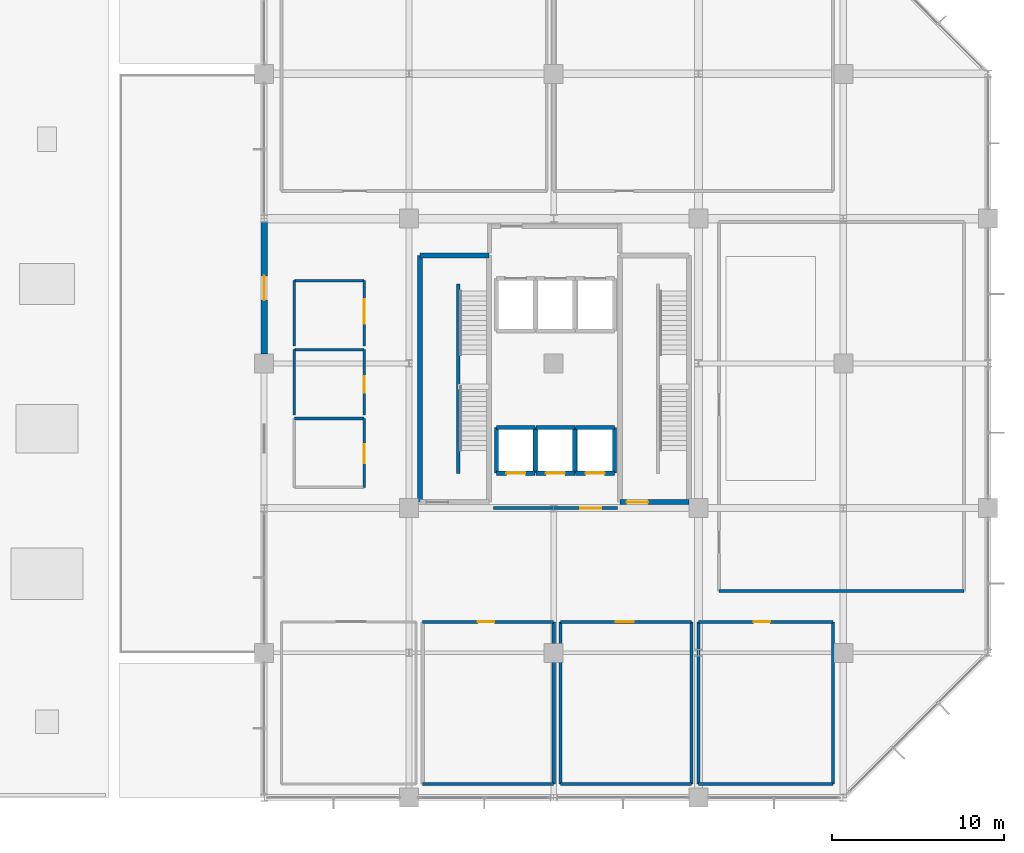
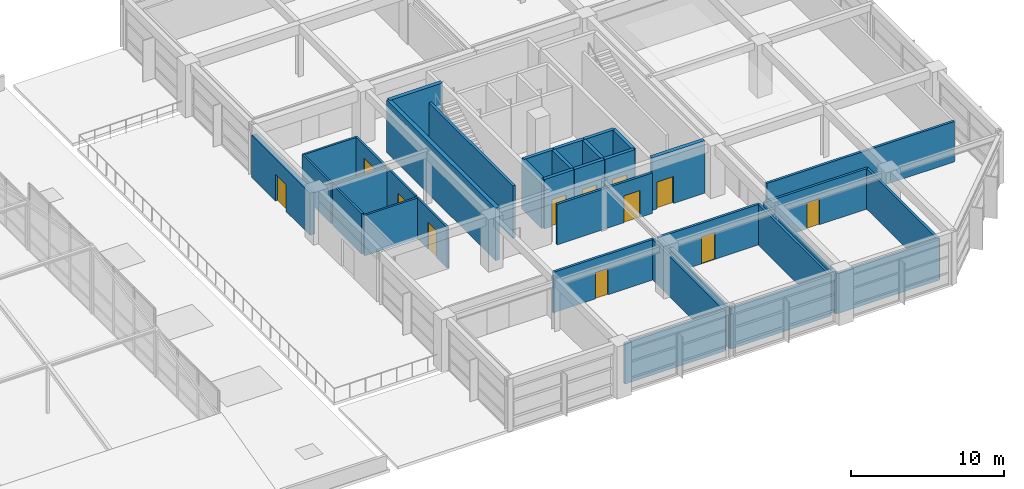
# One storey, part 31 of 34: 36 walls, 12 doors, 12 openings.
"""IFC4 building model written with IfcOpenShell, lengths in metres."""

from ifc_helpers import new_model, si_unit, direction, frame, frame_2d, origin, place, context, subcontext, project, spatial, rectangle, extrude, material, layer, layer_set, type_object, element, fill, save


model = new_model("IFC4")

# Units and contexts
model_context = context("Model", 3, precision=1e-05, world=origin(), true_north=direction((0.0, 1.0)))
body_context = subcontext(model_context, "Body", "Model", "MODEL_VIEW")
ifc_project = project(units=[si_unit("LENGTHUNIT", "METRE"), si_unit("AREAUNIT", "SQUARE_METRE"), si_unit("VOLUMEUNIT", "CUBIC_METRE"), si_unit("PLANEANGLEUNIT", "RADIAN"), si_unit("MASSUNIT", "GRAM", prefix="KILO")], contexts=[model_context])

# Site, building, storey
site_placement = place(None, origin())
site = spatial("IfcSite", under=ifc_project, at=site_placement, CompositionType="ELEMENT")
building_placement = place(site_placement, origin())
building = spatial("IfcBuilding", under=site, at=building_placement, Name="Xuanlan Plaza Opera House", CompositionType="ELEMENT")
storey_placement = place(building_placement, frame((0.0, 0.0, 27.89990234375)))
storey = spatial("IfcBuildingStorey", under=building, at=storey_placement, Name="L06", CompositionType="ELEMENT", Elevation=27.89990234375)

# Wall, opening, door
ifc_material_1 = material(Name="Anodised Aluminium 6063-T6 and Rockwool Cladding", Category="aluminium")
ifc_layer_1 = layer(ifc_material_1, 0.360107421875)
ifc_layer_set_1 = layer_set([ifc_layer_1], Name="Anodised Aluminium 6063-T6 and Rockwool Cladding")
wall_type_1 = type_object("IfcWallType", Name="ENV-WL-EW-01", PredefinedType="STANDARD", material=ifc_layer_set_1)
wall_1_placement = place(storey_placement, frame((126.0, 67.0, 0.0), z_axis=(0.0, 0.0, 1.0), x_axis=(0.0, -1.0, 0.0)))
wall_1 = element("IfcWall", 1, at=wall_1_placement, inside=storey, type_object=wall_type_1, Name="Exterior Wall L06-017", PredefinedType="STANDARD", context=body_context, shape_type="SweptSolid", body=[
    extrude(rectangle(XDim=7.64990234375, YDim=0.360107421875, at=frame_2d((3.824951171875, 0.0))), origin(), (0.0, 0.0, 1.0), 3.380126953125),
])
opening_1_placement = place(wall_1_placement, frame((3.125, 0.0, 0.0)))
opening_1 = element("IfcOpeningElement", 2, at=opening_1_placement, cuts=wall_1, Name="Opening TD-03", PredefinedType="OPENING", context=body_context, shape_type="SweptSolid", body=[
    extrude(rectangle(XDim=1.39990234375, YDim=2.14990234375, at=frame_2d((0.699951171875, 1.074951171875))), frame((0.0, 0.18994140625, 0.0), z_axis=(0.0, -1.0, 0.0), x_axis=(1.0, 0.0, 0.0)), (0.0, 0.0, 1.0), 0.380126953125),
])
ifc_material_2 = material(Name="Anodised Aluminium 6063-T6 and Laminated Safety Glass", Category="aluminium")
door_type_1 = type_object("IfcDoorType", Name="ENV-DR-TD-03", OperationType="DOUBLE_DOOR_SINGLE_SWING", PredefinedType="DOOR", material=ifc_material_2)
door_1_placement = place(opening_1_placement, frame((1.39990234375, 0.0, 0.0), z_axis=(0.0, 0.0, 1.0), x_axis=(-1.0, 0.0, 0.0)))
door_1 = element("IfcDoor", 3, at=door_1_placement, inside=storey, type_object=door_type_1, Name="Terrace Access Door TERR-L06-17", OperationType="DOUBLE_DOOR_SINGLE_SWING", OverallHeight=2.14990234375, OverallWidth=1.39990234375, PredefinedType="DOOR", context=body_context, shape_type="SweptSolid", body=[
    extrude(rectangle(XDim=1.39990234375, YDim=2.14990234375, at=frame_2d((0.699951171875, 1.074951171875))), frame((0.0, 0.02490234375, 0.0), z_axis=(0.0, -1.0, 0.0), x_axis=(1.0, 0.0, 0.0)), (0.0, 0.0, 1.0), 0.050048828125),
])
fill(opening_1, door_1)

ifc_material_3 = material(Name="Gypsum Board and Galvanised Steel Studs", Category="gypsum")
ifc_layer_2 = layer(ifc_material_3, 0.179931640625)
ifc_layer_set_2 = layer_set([ifc_layer_2], Name="Gypsum Board and Galvanised Steel Studs")
wall_type_2 = type_object("IfcWallType", Name="INT-WL-PW-02", PredefinedType="PARTITIONING", material=ifc_layer_set_2)
wall_2_placement = place(storey_placement, frame((139.300048828125, 50.39990234375, 0.0), z_axis=(0.0, 0.0, 1.0), x_axis=(1.0, 0.0, 0.0)))
wall_2 = element("IfcWall", 4, at=wall_2_placement, inside=storey, type_object=wall_type_2, Name="Tower Lift Lobby Wall South", PredefinedType="PARTITIONING", context=body_context, shape_type="SweptSolid", body=[
    extrude(rectangle(XDim=7.199951171875, YDim=0.179931640625, at=frame_2d((3.60009765625, 0.0))), origin(), (0.0, 0.0, 1.0), 3.239990234375),
])
opening_2_placement = place(wall_2_placement, frame((5.050048828125, 0.0, 0.0)))
opening_2 = element("IfcOpeningElement", 5, at=opening_2_placement, cuts=wall_2, Name="Opening FD-02", PredefinedType="OPENING", context=body_context, shape_type="SweptSolid", body=[
    extrude(rectangle(XDim=1.199951171875, YDim=2.14990234375, at=frame_2d((0.60009765625, 1.074951171875))), frame((0.0, 0.099853515625, 0.0), z_axis=(0.0, -1.0, 0.0), x_axis=(1.0, 0.0, 0.0)), (0.0, 0.0, 1.0), 0.199951171875),
])
ifc_material_4 = material(Name="Galvanised Steel Q235B", Category="steel")
door_type_2 = type_object("IfcDoorType", Name="INT-DR-FD-02", OperationType="NOTDEFINED", PredefinedType="DOOR", material=ifc_material_4)
door_2_placement = place(opening_2_placement, frame((1.199951171875, 0.0, 0.0), z_axis=(0.0, 0.0, 1.0), x_axis=(-1.0, 0.0, 0.0)))
door_2 = element("IfcDoor", 6, at=door_2_placement, inside=storey, type_object=door_type_2, Name="Tower Lift Lobby Door 1", OperationType="SINGLE_SWING_RIGHT", OverallHeight=2.14990234375, OverallWidth=1.199951171875, PredefinedType="DOOR", context=body_context, shape_type="SweptSolid", body=[
    extrude(rectangle(XDim=1.199951171875, YDim=2.14990234375, at=frame_2d((0.60009765625, 1.074951171875))), frame((0.0, 0.02490234375, 0.0), z_axis=(0.0, -1.0, 0.0), x_axis=(1.0, 0.0, 0.0)), (0.0, 0.0, 1.0), 0.050048828125),
])
fill(opening_2, door_2)

# Walls
wall_3_placement = place(storey_placement, frame((152.39990234375, 45.60009765625, 0.0), z_axis=(0.0, 0.0, 1.0), x_axis=(1.0, 0.0, 0.0)))
element("IfcWall", 7, at=wall_3_placement, inside=storey, type_object=wall_type_2, Name="Performing Arts Production Studio Wall South", PredefinedType="PARTITIONING", context=body_context, shape_type="SweptSolid", body=[
    extrude(rectangle(XDim=14.2001953125, YDim=0.179931640625, at=frame_2d((7.10009765625, 0.0))), origin(), (0.0, 0.0, 1.0), 3.239990234375),
])
wall_4_placement = place(storey_placement, frame((135.199951171875, 34.39990234375, 0.0), z_axis=(0.0, 0.0, 1.0), x_axis=(1.0, 0.0, 0.0)))
element("IfcWall", 8, at=wall_4_placement, inside=storey, type_object=wall_type_2, Name="Cultural Administration Office 2 Wall South", PredefinedType="PARTITIONING", context=body_context, shape_type="SweptSolid", body=[
    extrude(rectangle(XDim=7.60009765625, YDim=0.179931640625, at=frame_2d((3.800048828125, 0.0))), origin(), (0.0, 0.0, 1.0), 3.239990234375),
])

# Wall, opening, door
wall_5_placement = place(storey_placement, frame((135.199951171875, 43.800048828125, 0.0), z_axis=(0.0, 0.0, 1.0), x_axis=(1.0, 0.0, 0.0)))
wall_5 = element("IfcWall", 9, at=wall_5_placement, inside=storey, type_object=wall_type_2, Name="Cultural Administration Office 2 Wall North", PredefinedType="PARTITIONING", context=body_context, shape_type="SweptSolid", body=[
    extrude(rectangle(XDim=7.60009765625, YDim=0.179931640625, at=frame_2d((3.800048828125, 0.0))), origin(), (0.0, 0.0, 1.0), 3.239990234375),
])
opening_3_placement = place(wall_5_placement, frame((3.199951171875, 0.0, 0.0)))
opening_3 = element("IfcOpeningElement", 10, at=opening_3_placement, cuts=wall_5, Name="Opening D-01", PredefinedType="OPENING", context=body_context, shape_type="SweptSolid", body=[
    extrude(rectangle(XDim=0.949951171875, YDim=2.10009765625, at=frame_2d((0.47509765625, 1.050048828125))), frame((0.0, 0.099853515625, 0.0), z_axis=(0.0, -1.0, 0.0), x_axis=(1.0, 0.0, 0.0)), (0.0, 0.0, 1.0), 0.199951171875),
])
ifc_material_5 = material(Name="Walnut Hardwood Timber", Category="wood")
door_type_3 = type_object("IfcDoorType", Name="INT-DR-D-01", OperationType="NOTDEFINED", PredefinedType="DOOR", material=ifc_material_5)
door_3_placement = place(opening_3_placement, origin())
door_3 = element("IfcDoor", 11, at=door_3_placement, inside=storey, type_object=door_type_3, Name="Cultural Administration Office 2 Door 1", OperationType="SINGLE_SWING_RIGHT", OverallHeight=2.10009765625, OverallWidth=0.949951171875, PredefinedType="DOOR", context=body_context, shape_type="SweptSolid", body=[
    extrude(rectangle(XDim=0.949951171875, YDim=2.10009765625, at=frame_2d((0.47509765625, 1.050048828125))), frame((0.0, 0.02490234375, 0.0), z_axis=(0.0, -1.0, 0.0), x_axis=(1.0, 0.0, 0.0)), (0.0, 0.0, 1.0), 0.050048828125),
])
fill(opening_3, door_3)

# Walls
wall_6_placement = place(storey_placement, frame((142.800048828125, 34.39990234375, 0.0), z_axis=(0.0, 0.0, 1.0), x_axis=(0.0, 1.0, 0.0)))
element("IfcWall", 12, at=wall_6_placement, inside=storey, type_object=wall_type_2, Name="Cultural Administration Office 2 Wall East", PredefinedType="PARTITIONING", context=body_context, shape_type="SweptSolid", body=[
    extrude(rectangle(XDim=9.400146484375, YDim=0.179931640625, at=frame_2d((4.7001953125, 0.0))), origin(), (0.0, 0.0, 1.0), 3.239990234375),
])
wall_7_placement = place(storey_placement, frame((143.199951171875, 34.39990234375, 0.0), z_axis=(0.0, 0.0, 1.0), x_axis=(1.0, 0.0, 0.0)))
element("IfcWall", 13, at=wall_7_placement, inside=storey, type_object=wall_type_2, Name="Cultural Administration Office 3 Wall South", PredefinedType="PARTITIONING", context=body_context, shape_type="SweptSolid", body=[
    extrude(rectangle(XDim=7.60009765625, YDim=0.179931640625, at=frame_2d((3.800048828125, 0.0))), origin(), (0.0, 0.0, 1.0), 3.239990234375),
])

# Wall, opening, door
wall_8_placement = place(storey_placement, frame((143.199951171875, 43.800048828125, 0.0), z_axis=(0.0, 0.0, 1.0), x_axis=(1.0, 0.0, 0.0)))
wall_8 = element("IfcWall", 14, at=wall_8_placement, inside=storey, type_object=wall_type_2, Name="Cultural Administration Office 3 Wall North", PredefinedType="PARTITIONING", context=body_context, shape_type="SweptSolid", body=[
    extrude(rectangle(XDim=7.60009765625, YDim=0.179931640625, at=frame_2d((3.800048828125, 0.0))), origin(), (0.0, 0.0, 1.0), 3.239990234375),
])
opening_4_placement = place(wall_8_placement, frame((3.199951171875, 0.0, 0.0)))
opening_4 = element("IfcOpeningElement", 15, at=opening_4_placement, cuts=wall_8, Name="Opening D-16", PredefinedType="OPENING", context=body_context, shape_type="SweptSolid", body=[
    extrude(rectangle(XDim=1.050048828125, YDim=2.159912109375, at=frame_2d((0.52490234375, 1.080078125))), frame((0.0, 0.099853515625, 0.0), z_axis=(0.0, -1.0, 0.0), x_axis=(1.0, 0.0, 0.0)), (0.0, 0.0, 1.0), 0.199951171875),
])
ifc_material_6 = material(Name="Oak Hardwood Timber", Category="wood")
door_type_4 = type_object("IfcDoorType", Name="INT-DR-D-16", OperationType="NOTDEFINED", PredefinedType="DOOR", material=ifc_material_6)
door_4_placement = place(opening_4_placement, origin())
door_4 = element("IfcDoor", 16, at=door_4_placement, inside=storey, type_object=door_type_4, Name="Cultural Administration Office 3 Door 1", OperationType="SINGLE_SWING_LEFT", OverallHeight=2.159912109375, OverallWidth=1.050048828125, PredefinedType="DOOR", context=body_context, shape_type="SweptSolid", body=[
    extrude(rectangle(XDim=1.050048828125, YDim=2.159912109375, at=frame_2d((0.52490234375, 1.080078125))), frame((0.0, 0.02490234375, 0.0), z_axis=(0.0, -1.0, 0.0), x_axis=(1.0, 0.0, 0.0)), (0.0, 0.0, 1.0), 0.050048828125),
])
fill(opening_4, door_4)

# Walls
for number, where, z_axis, x_axis, name in (
    (17, (143.199951171875, 34.39990234375, 0.0), (0.0, 0.0, 1.0), (0.0, 1.0, 0.0), "Cultural Administration Office 3 Wall West"),
    (18, (150.800048828125, 34.39990234375, 0.0), (0.0, 0.0, 1.0), (0.0, 1.0, 0.0), "Cultural Administration Office 3 Wall East"),
):
    element("IfcWall", number, at=place(storey_placement, frame(where, z_axis=z_axis, x_axis=x_axis)), inside=storey, type_object=wall_type_2, Name=name, PredefinedType="PARTITIONING", context=body_context, shape_type="SweptSolid", body=[
        extrude(rectangle(XDim=9.400146484375, YDim=0.179931640625, at=frame_2d((4.7001953125, 0.0))), origin(), (0.0, 0.0, 1.0), 3.239990234375),
    ])
wall_9_placement = place(storey_placement, frame((151.199951171875, 34.39990234375, 0.0), z_axis=(0.0, 0.0, 1.0), x_axis=(1.0, 0.0, 0.0)))
element("IfcWall", 19, at=wall_9_placement, inside=storey, type_object=wall_type_2, Name="Cultural Administration Office 4 Wall South", PredefinedType="PARTITIONING", context=body_context, shape_type="SweptSolid", body=[
    extrude(rectangle(XDim=7.800048828125, YDim=0.179931640625, at=frame_2d((3.89990234375, 0.0))), origin(), (0.0, 0.0, 1.0), 3.239990234375),
])

# Wall, opening, door
wall_10_placement = place(storey_placement, frame((151.199951171875, 43.800048828125, 0.0), z_axis=(0.0, 0.0, 1.0), x_axis=(1.0, 0.0, 0.0)))
wall_10 = element("IfcWall", 20, at=wall_10_placement, inside=storey, type_object=wall_type_2, Name="Cultural Administration Office 4 Wall North", PredefinedType="PARTITIONING", context=body_context, shape_type="SweptSolid", body=[
    extrude(rectangle(XDim=7.800048828125, YDim=0.179931640625, at=frame_2d((3.89990234375, 0.0))), origin(), (0.0, 0.0, 1.0), 3.239990234375),
])
opening_5_placement = place(wall_10_placement, frame((3.199951171875, 0.0, 0.0)))
opening_5 = element("IfcOpeningElement", 21, at=opening_5_placement, cuts=wall_10, Name="Opening D-01", PredefinedType="OPENING", context=body_context, shape_type="SweptSolid", body=[
    extrude(rectangle(XDim=0.949951171875, YDim=2.10009765625, at=frame_2d((0.47509765625, 1.050048828125))), frame((0.0, 0.099853515625, 0.0), z_axis=(0.0, -1.0, 0.0), x_axis=(1.0, 0.0, 0.0)), (0.0, 0.0, 1.0), 0.199951171875),
])
door_5_placement = place(opening_5_placement, origin())
door_5 = element("IfcDoor", 22, at=door_5_placement, inside=storey, type_object=door_type_3, Name="Cultural Administration Office 4 Door 1", OperationType="SINGLE_SWING_RIGHT", OverallHeight=2.10009765625, OverallWidth=0.949951171875, PredefinedType="DOOR", context=body_context, shape_type="SweptSolid", body=[
    extrude(rectangle(XDim=0.949951171875, YDim=2.10009765625, at=frame_2d((0.47509765625, 1.050048828125))), frame((0.0, 0.02490234375, 0.0), z_axis=(0.0, -1.0, 0.0), x_axis=(1.0, 0.0, 0.0)), (0.0, 0.0, 1.0), 0.050048828125),
])
fill(opening_5, door_5)

# Walls
for number, where, z_axis, x_axis, name in (
    (23, (151.199951171875, 34.39990234375, 0.0), (0.0, 0.0, 1.0), (0.0, 1.0, 0.0), "Cultural Administration Office 4 Wall West"),
    (24, (159.0, 34.39990234375, 0.0), (0.0, 0.0, 1.0), (0.0, 1.0, 0.0), "Cultural Administration Office 4 Wall East"),
):
    element("IfcWall", number, at=place(storey_placement, frame(where, z_axis=z_axis, x_axis=x_axis)), inside=storey, type_object=wall_type_2, Name=name, PredefinedType="PARTITIONING", context=body_context, shape_type="SweptSolid", body=[
        extrude(rectangle(XDim=9.400146484375, YDim=0.179931640625, at=frame_2d((4.7001953125, 0.0))), origin(), (0.0, 0.0, 1.0), 3.239990234375),
    ])
ifc_material_7 = material(Name="Autoclaved Aerated Blockwork Masonry", Category="masonry")
ifc_layer_3 = layer(ifc_material_7, 0.14990234375)
ifc_layer_set_3 = layer_set([ifc_layer_3], Name="Autoclaved Aerated Blockwork Masonry")
wall_type_3 = type_object("IfcWallType", Name="INT-WL-PW-03", PredefinedType="PARTITIONING", material=ifc_layer_set_3)
wall_11_placement = place(storey_placement, frame((127.75, 55.60009765625, 0.0), z_axis=(0.0, 0.0, 1.0), x_axis=(1.0, 0.0, 0.0)))
element("IfcWall", 25, at=wall_11_placement, inside=storey, type_object=wall_type_3, Name="Public WC Wall North", PredefinedType="PARTITIONING", context=body_context, shape_type="SweptSolid", body=[
    extrude(rectangle(XDim=4.050048828125, YDim=0.14990234375, at=frame_2d((2.02490234375, 0.0))), origin(), (0.0, 0.0, 1.0), 3.239990234375),
])

# Wall, opening, door
wall_12_placement = place(storey_placement, frame((131.800048828125, 51.60009765625, 0.0), z_axis=(0.0, 0.0, 1.0), x_axis=(0.0, 1.0, 0.0)))
wall_12 = element("IfcWall", 26, at=wall_12_placement, inside=storey, type_object=wall_type_3, Name="Public WC Wall East", PredefinedType="PARTITIONING", context=body_context, shape_type="SweptSolid", body=[
    extrude(rectangle(XDim=4.0, YDim=0.14990234375, at=frame_2d((2.0, 0.0))), origin(), (0.0, 0.0, 1.0), 3.239990234375),
])
opening_6_placement = place(wall_12_placement, frame((1.39990234375, 0.0, 0.0)))
opening_6 = element("IfcOpeningElement", 27, at=opening_6_placement, cuts=wall_12, Name="Opening D-10", PredefinedType="OPENING", context=body_context, shape_type="SweptSolid", body=[
    extrude(rectangle(XDim=1.1201171875, YDim=2.139892578125, at=frame_2d((0.56005859375, 1.06982421875))), frame((0.0, 0.0849609375, 0.0), z_axis=(0.0, -1.0, 0.0), x_axis=(1.0, 0.0, 0.0)), (0.0, 0.0, 1.0), 0.169921875),
])
door_type_5 = type_object("IfcDoorType", Name="INT-DR-D-10", OperationType="NOTDEFINED", PredefinedType="DOOR", material=ifc_material_6)
door_6_placement = place(opening_6_placement, origin())
door_6 = element("IfcDoor", 28, at=door_6_placement, inside=storey, type_object=door_type_5, Name="Public WC Door 1", OperationType="SINGLE_SWING_LEFT", OverallHeight=2.139892578125, OverallWidth=1.1201171875, PredefinedType="DOOR", context=body_context, shape_type="SweptSolid", body=[
    extrude(rectangle(XDim=1.1201171875, YDim=2.139892578125, at=frame_2d((0.56005859375, 1.06982421875))), frame((0.0, 0.02490234375, 0.0), z_axis=(0.0, -1.0, 0.0), x_axis=(1.0, 0.0, 0.0)), (0.0, 0.0, 1.0), 0.050048828125),
])
fill(opening_6, door_6)

# Walls
wall_13_placement = place(storey_placement, frame((127.75, 59.60009765625, 0.0), z_axis=(0.0, 0.0, 1.0), x_axis=(1.0, 0.0, 0.0)))
element("IfcWall", 29, at=wall_13_placement, inside=storey, type_object=wall_type_3, Name="Staff WC Wall North", PredefinedType="PARTITIONING", context=body_context, shape_type="SweptSolid", body=[
    extrude(rectangle(XDim=4.050048828125, YDim=0.14990234375, at=frame_2d((2.02490234375, 0.0))), origin(), (0.0, 0.0, 1.0), 3.239990234375),
])
wall_14_placement = place(storey_placement, frame((127.75, 55.800048828125, 0.0), z_axis=(0.0, 0.0, 1.0), x_axis=(0.0, 1.0, 0.0)))
element("IfcWall", 30, at=wall_14_placement, inside=storey, type_object=wall_type_3, Name="Staff WC Wall West", PredefinedType="PARTITIONING", context=body_context, shape_type="SweptSolid", body=[
    extrude(rectangle(XDim=3.800048828125, YDim=0.14990234375, at=frame_2d((1.89990234375, 0.0))), origin(), (0.0, 0.0, 1.0), 3.239990234375),
])

# Wall, opening, door
wall_15_placement = place(storey_placement, frame((131.800048828125, 55.800048828125, 0.0), z_axis=(0.0, 0.0, 1.0), x_axis=(0.0, 1.0, 0.0)))
wall_15 = element("IfcWall", 31, at=wall_15_placement, inside=storey, type_object=wall_type_3, Name="Staff WC Wall East", PredefinedType="PARTITIONING", context=body_context, shape_type="SweptSolid", body=[
    extrude(rectangle(XDim=3.800048828125, YDim=0.14990234375, at=frame_2d((1.89990234375, 0.0))), origin(), (0.0, 0.0, 1.0), 3.239990234375),
])
opening_7_placement = place(wall_15_placement, frame((1.300048828125, 0.0, 0.0)))
opening_7 = element("IfcOpeningElement", 32, at=opening_7_placement, cuts=wall_15, Name="Opening D-01", PredefinedType="OPENING", context=body_context, shape_type="SweptSolid", body=[
    extrude(rectangle(XDim=0.949951171875, YDim=2.10009765625, at=frame_2d((0.47509765625, 1.050048828125))), frame((0.0, 0.0849609375, 0.0), z_axis=(0.0, -1.0, 0.0), x_axis=(1.0, 0.0, 0.0)), (0.0, 0.0, 1.0), 0.169921875),
])
door_7_placement = place(opening_7_placement, origin())
door_7 = element("IfcDoor", 33, at=door_7_placement, inside=storey, type_object=door_type_3, Name="Staff WC Door 1", OperationType="SINGLE_SWING_RIGHT", OverallHeight=2.10009765625, OverallWidth=0.949951171875, PredefinedType="DOOR", context=body_context, shape_type="SweptSolid", body=[
    extrude(rectangle(XDim=0.949951171875, YDim=2.10009765625, at=frame_2d((0.47509765625, 1.050048828125))), frame((0.0, 0.02490234375, 0.0), z_axis=(0.0, -1.0, 0.0), x_axis=(1.0, 0.0, 0.0)), (0.0, 0.0, 1.0), 0.050048828125),
])
fill(opening_7, door_7)

# Walls
wall_16_placement = place(storey_placement, frame((127.75, 63.60009765625, 0.0), z_axis=(0.0, 0.0, 1.0), x_axis=(1.0, 0.0, 0.0)))
element("IfcWall", 34, at=wall_16_placement, inside=storey, type_object=wall_type_3, Name="Accessible WC Wall North", PredefinedType="PARTITIONING", context=body_context, shape_type="SweptSolid", body=[
    extrude(rectangle(XDim=4.050048828125, YDim=0.14990234375, at=frame_2d((2.02490234375, 0.0))), origin(), (0.0, 0.0, 1.0), 3.239990234375),
])
wall_17_placement = place(storey_placement, frame((127.75, 59.800048828125, 0.0), z_axis=(0.0, 0.0, 1.0), x_axis=(0.0, 1.0, 0.0)))
element("IfcWall", 35, at=wall_17_placement, inside=storey, type_object=wall_type_3, Name="Accessible WC Wall West", PredefinedType="PARTITIONING", context=body_context, shape_type="SweptSolid", body=[
    extrude(rectangle(XDim=3.800048828125, YDim=0.14990234375, at=frame_2d((1.89990234375, 0.0))), origin(), (0.0, 0.0, 1.0), 3.239990234375),
])

# Wall, opening, door
wall_18_placement = place(storey_placement, frame((131.800048828125, 59.800048828125, 0.0), z_axis=(0.0, 0.0, 1.0), x_axis=(0.0, 1.0, 0.0)))
wall_18 = element("IfcWall", 36, at=wall_18_placement, inside=storey, type_object=wall_type_3, Name="Accessible WC Wall East", PredefinedType="PARTITIONING", context=body_context, shape_type="SweptSolid", body=[
    extrude(rectangle(XDim=3.800048828125, YDim=0.14990234375, at=frame_2d((1.89990234375, 0.0))), origin(), (0.0, 0.0, 1.0), 3.239990234375),
])
opening_8_placement = place(wall_18_placement, frame((1.300048828125, 0.0, 0.0)))
opening_8 = element("IfcOpeningElement", 37, at=opening_8_placement, cuts=wall_18, Name="Opening D-12", PredefinedType="OPENING", context=body_context, shape_type="SweptSolid", body=[
    extrude(rectangle(XDim=1.419921875, YDim=2.179931640625, at=frame_2d((0.7099609375, 1.08984375))), frame((0.0, 0.0849609375, 0.0), z_axis=(0.0, -1.0, 0.0), x_axis=(1.0, 0.0, 0.0)), (0.0, 0.0, 1.0), 0.169921875),
])
door_type_6 = type_object("IfcDoorType", Name="INT-DR-D-12", OperationType="DOUBLE_DOOR_SINGLE_SWING", PredefinedType="DOOR", material=ifc_material_6)
door_8_placement = place(opening_8_placement, origin())
door_8 = element("IfcDoor", 38, at=door_8_placement, inside=storey, type_object=door_type_6, Name="Accessible WC Door 1", OperationType="DOUBLE_DOOR_SINGLE_SWING", OverallHeight=2.179931640625, OverallWidth=1.419921875, PredefinedType="DOOR", context=body_context, shape_type="SweptSolid", body=[
    extrude(rectangle(XDim=1.419921875, YDim=2.179931640625, at=frame_2d((0.7099609375, 1.08984375))), frame((0.0, 0.02490234375, 0.0), z_axis=(0.0, -1.0, 0.0), x_axis=(1.0, 0.0, 0.0)), (0.0, 0.0, 1.0), 0.050048828125),
])
fill(opening_8, door_8)

ifc_material_8 = material(Name="Concrete C40", Category="concrete")
ifc_layer_4 = layer(ifc_material_8, 0.25)
ifc_layer_set_4 = layer_set([ifc_layer_4], Name="Concrete C40")
wall_type_4 = type_object("IfcWallType", Name="INT-WL-SW-LF1", PredefinedType="SHEAR", material=ifc_layer_set_4)
wall_19_placement = place(storey_placement, frame((139.47509765625, 52.425048828125, 0.0), z_axis=(0.0, 0.0, 1.0), x_axis=(1.0, 0.0, 0.0)))
wall_19 = element("IfcWall", 39, at=wall_19_placement, inside=storey, type_object=wall_type_4, Name="Lift Shaft Wall LF-P1 L06 South", PredefinedType="SHEAR", context=body_context, shape_type="SweptSolid", body=[
    extrude(rectangle(XDim=2.25, YDim=0.25, at=frame_2d((1.125, 0.0))), origin(), (0.0, 0.0, 1.0), 3.960205078125),
])
opening_9_placement = place(wall_19_placement, frame((0.574951171875, 0.0, 0.0)))
opening_9 = element("IfcOpeningElement", 40, at=opening_9_placement, cuts=wall_19, Name="Opening LD-P1-L06", PredefinedType="OPENING", context=body_context, shape_type="SweptSolid", body=[
    extrude(rectangle(XDim=1.10009765625, YDim=2.14990234375, at=frame_2d((0.550048828125, 1.074951171875))), frame((0.0, 0.135009765625, 0.0), z_axis=(0.0, -1.0, 0.0), x_axis=(1.0, 0.0, 0.0)), (0.0, 0.0, 1.0), 0.27001953125),
])
ifc_material_9 = material(Name="Stainless Steel S30408", Category="steel")
door_type_7 = type_object("IfcDoorType", Name="INT-DR-LD-01", OperationType="DOUBLE_DOOR_SLIDING", PredefinedType="DOOR", material=ifc_material_9)
door_9_placement = place(opening_9_placement, origin())
door_9 = element("IfcDoor", 41, at=door_9_placement, inside=storey, type_object=door_type_7, Name="Lift Sliding Landing Door LF-P1 L06", OperationType="DOUBLE_DOOR_SLIDING", OverallHeight=2.14990234375, OverallWidth=1.10009765625, PredefinedType="DOOR", context=body_context, shape_type="SweptSolid", body=[
    extrude(rectangle(XDim=1.10009765625, YDim=2.14990234375, at=frame_2d((0.550048828125, 1.074951171875))), frame((0.0, 0.02490234375, 0.0), z_axis=(0.0, -1.0, 0.0), x_axis=(1.0, 0.0, 0.0)), (0.0, 0.0, 1.0), 0.050048828125),
])
fill(opening_9, door_9)

# Walls
wall_20_placement = place(storey_placement, frame((139.47509765625, 55.074951171875, 0.0), z_axis=(0.0, 0.0, 1.0), x_axis=(1.0, 0.0, 0.0)))
element("IfcWall", 42, at=wall_20_placement, inside=storey, type_object=wall_type_4, Name="Lift Shaft Wall LF-P1 L06 North", PredefinedType="SHEAR", context=body_context, shape_type="SweptSolid", body=[
    extrude(rectangle(XDim=2.25, YDim=0.25, at=frame_2d((1.125, 0.0))), origin(), (0.0, 0.0, 1.0), 3.960205078125),
])
for number, where, z_axis, x_axis, name in (
    (43, (139.47509765625, 52.425048828125, 0.0), (0.0, 0.0, 1.0), (0.0, 1.0, 0.0), "Lift Shaft Wall LF-P1 L06 West"),
    (44, (141.72509765625, 52.425048828125, 0.0), (0.0, 0.0, 1.0), (0.0, 1.0, 0.0), "Lift Shaft Wall LF-P1 L06 East"),
):
    element("IfcWall", number, at=place(storey_placement, frame(where, z_axis=z_axis, x_axis=x_axis)), inside=storey, type_object=wall_type_4, Name=name, PredefinedType="SHEAR", context=body_context, shape_type="SweptSolid", body=[
        extrude(rectangle(XDim=2.64990234375, YDim=0.25, at=frame_2d((1.324951171875, 0.0))), origin(), (0.0, 0.0, 1.0), 3.960205078125),
    ])

# Wall, opening, door
wall_21_placement = place(storey_placement, frame((141.77490234375, 52.425048828125, 0.0), z_axis=(0.0, 0.0, 1.0), x_axis=(1.0, 0.0, 0.0)))
wall_21 = element("IfcWall", 45, at=wall_21_placement, inside=storey, type_object=wall_type_4, Name="Lift Shaft Wall LF-P2 L06 South", PredefinedType="SHEAR", context=body_context, shape_type="SweptSolid", body=[
    extrude(rectangle(XDim=2.25, YDim=0.25, at=frame_2d((1.125, 0.0))), origin(), (0.0, 0.0, 1.0), 3.960205078125),
])
opening_10_placement = place(wall_21_placement, frame((0.574951171875, 0.0, 0.0)))
opening_10 = element("IfcOpeningElement", 46, at=opening_10_placement, cuts=wall_21, Name="Opening LD-P2-L06", PredefinedType="OPENING", context=body_context, shape_type="SweptSolid", body=[
    extrude(rectangle(XDim=1.10009765625, YDim=2.14990234375, at=frame_2d((0.550048828125, 1.074951171875))), frame((0.0, 0.135009765625, 0.0), z_axis=(0.0, -1.0, 0.0), x_axis=(1.0, 0.0, 0.0)), (0.0, 0.0, 1.0), 0.27001953125),
])
door_10_placement = place(opening_10_placement, origin())
door_10 = element("IfcDoor", 47, at=door_10_placement, inside=storey, type_object=door_type_7, Name="Lift Sliding Landing Door LF-P2 L06", OperationType="DOUBLE_DOOR_SLIDING", OverallHeight=2.14990234375, OverallWidth=1.10009765625, PredefinedType="DOOR", context=body_context, shape_type="SweptSolid", body=[
    extrude(rectangle(XDim=1.10009765625, YDim=2.14990234375, at=frame_2d((0.550048828125, 1.074951171875))), frame((0.0, 0.02490234375, 0.0), z_axis=(0.0, -1.0, 0.0), x_axis=(1.0, 0.0, 0.0)), (0.0, 0.0, 1.0), 0.050048828125),
])
fill(opening_10, door_10)

# Walls
wall_22_placement = place(storey_placement, frame((141.77490234375, 55.074951171875, 0.0), z_axis=(0.0, 0.0, 1.0), x_axis=(1.0, 0.0, 0.0)))
element("IfcWall", 48, at=wall_22_placement, inside=storey, type_object=wall_type_4, Name="Lift Shaft Wall LF-P2 L06 North", PredefinedType="SHEAR", context=body_context, shape_type="SweptSolid", body=[
    extrude(rectangle(XDim=2.25, YDim=0.25, at=frame_2d((1.125, 0.0))), origin(), (0.0, 0.0, 1.0), 3.960205078125),
])
wall_23_placement = place(storey_placement, frame((144.02490234375, 52.425048828125, 0.0), z_axis=(0.0, 0.0, 1.0), x_axis=(0.0, 1.0, 0.0)))
element("IfcWall", 49, at=wall_23_placement, inside=storey, type_object=wall_type_4, Name="Lift Shaft Wall LF-P2 L06 East", PredefinedType="SHEAR", context=body_context, shape_type="SweptSolid", body=[
    extrude(rectangle(XDim=2.64990234375, YDim=0.25, at=frame_2d((1.324951171875, 0.0))), origin(), (0.0, 0.0, 1.0), 3.960205078125),
])

# Wall, opening, door
wall_24_placement = place(storey_placement, frame((144.074951171875, 52.425048828125, 0.0), z_axis=(0.0, 0.0, 1.0), x_axis=(1.0, 0.0, 0.0)))
wall_24 = element("IfcWall", 50, at=wall_24_placement, inside=storey, type_object=wall_type_4, Name="Lift Shaft Wall LF-P3 L06 South", PredefinedType="SHEAR", context=body_context, shape_type="SweptSolid", body=[
    extrude(rectangle(XDim=2.25, YDim=0.25, at=frame_2d((1.125, 0.0))), origin(), (0.0, 0.0, 1.0), 3.960205078125),
])
opening_11_placement = place(wall_24_placement, frame((0.574951171875, 0.0, 0.0)))
opening_11 = element("IfcOpeningElement", 51, at=opening_11_placement, cuts=wall_24, Name="Opening LD-P3-L06", PredefinedType="OPENING", context=body_context, shape_type="SweptSolid", body=[
    extrude(rectangle(XDim=1.10009765625, YDim=2.14990234375, at=frame_2d((0.550048828125, 1.074951171875))), frame((0.0, 0.135009765625, 0.0), z_axis=(0.0, -1.0, 0.0), x_axis=(1.0, 0.0, 0.0)), (0.0, 0.0, 1.0), 0.27001953125),
])
door_11_placement = place(opening_11_placement, origin())
door_11 = element("IfcDoor", 52, at=door_11_placement, inside=storey, type_object=door_type_7, Name="Lift Sliding Landing Door LF-P3 L06", OperationType="DOUBLE_DOOR_SLIDING", OverallHeight=2.14990234375, OverallWidth=1.10009765625, PredefinedType="DOOR", context=body_context, shape_type="SweptSolid", body=[
    extrude(rectangle(XDim=1.10009765625, YDim=2.14990234375, at=frame_2d((0.550048828125, 1.074951171875))), frame((0.0, 0.02490234375, 0.0), z_axis=(0.0, -1.0, 0.0), x_axis=(1.0, 0.0, 0.0)), (0.0, 0.0, 1.0), 0.050048828125),
])
fill(opening_11, door_11)

# Walls
wall_25_placement = place(storey_placement, frame((144.074951171875, 55.074951171875, 0.0), z_axis=(0.0, 0.0, 1.0), x_axis=(1.0, 0.0, 0.0)))
element("IfcWall", 53, at=wall_25_placement, inside=storey, type_object=wall_type_4, Name="Lift Shaft Wall LF-P3 L06 North", PredefinedType="SHEAR", context=body_context, shape_type="SweptSolid", body=[
    extrude(rectangle(XDim=2.25, YDim=0.25, at=frame_2d((1.125, 0.0))), origin(), (0.0, 0.0, 1.0), 3.960205078125),
])
wall_26_placement = place(storey_placement, frame((146.324951171875, 52.425048828125, 0.0), z_axis=(0.0, 0.0, 1.0), x_axis=(0.0, 1.0, 0.0)))
element("IfcWall", 54, at=wall_26_placement, inside=storey, type_object=wall_type_4, Name="Lift Shaft Wall LF-P3 L06 East", PredefinedType="SHEAR", context=body_context, shape_type="SweptSolid", body=[
    extrude(rectangle(XDim=2.64990234375, YDim=0.25, at=frame_2d((1.324951171875, 0.0))), origin(), (0.0, 0.0, 1.0), 3.960205078125),
])
ifc_layer_5 = layer(ifc_material_8, 0.199951171875)
ifc_layer_set_5 = layer_set([ifc_layer_5], Name="Concrete C40")
wall_type_5 = type_object("IfcWallType", Name="INT-WL-SW-SPN", PredefinedType="SHEAR", material=ifc_layer_set_5)
wall_27_placement = place(storey_placement, frame((137.25, 52.39990234375, 0.0), z_axis=(0.0, 0.0, 1.0), x_axis=(0.0, 1.0, 0.0)))
element("IfcWall", 55, at=wall_27_placement, inside=storey, type_object=wall_type_5, Name="Stair Structural Spine Wall ST-T1 L06", PredefinedType="SHEAR", context=body_context, shape_type="SweptSolid", body=[
    extrude(rectangle(XDim=11.0, YDim=0.199951171875, at=frame_2d((5.5, 0.0))), origin(), (0.0, 0.0, 1.0), 4.2001953125),
])
ifc_layer_6 = layer(ifc_material_8, 0.300048828125)
ifc_layer_set_6 = layer_set([ifc_layer_6], Name="Concrete C40")
wall_type_6 = type_object("IfcWallType", Name="INT-WL-SW-ST1", PredefinedType="SHEAR", material=ifc_layer_set_6)
wall_28_placement = place(storey_placement, frame((135.050048828125, 65.050048828125, 0.0), z_axis=(0.0, 0.0, 1.0), x_axis=(1.0, 0.0, 0.0)))
element("IfcWall", 56, at=wall_28_placement, inside=storey, type_object=wall_type_6, Name="Stair Core Wall ST-T1 L06 North", PredefinedType="SHEAR", context=body_context, shape_type="SweptSolid", body=[
    extrude(rectangle(XDim=4.0, YDim=0.300048828125, at=frame_2d((2.0, 0.0))), origin(), (0.0, 0.0, 1.0), 4.2001953125),
])
wall_29_placement = place(storey_placement, frame((135.050048828125, 50.75, 0.0), z_axis=(0.0, 0.0, 1.0), x_axis=(0.0, 1.0, 0.0)))
element("IfcWall", 57, at=wall_29_placement, inside=storey, type_object=wall_type_6, Name="Stair Core Wall ST-T1 L06 West", PredefinedType="SHEAR", context=body_context, shape_type="SweptSolid", body=[
    extrude(rectangle(XDim=14.300048828125, YDim=0.300048828125, at=frame_2d((7.14990234375, 0.0))), origin(), (0.0, 0.0, 1.0), 4.2001953125),
])

# Wall, opening, door
wall_30_placement = place(storey_placement, frame((146.64990234375, 50.75, 0.0), z_axis=(0.0, 0.0, 1.0), x_axis=(1.0, 0.0, 0.0)))
wall_30 = element("IfcWall", 58, at=wall_30_placement, inside=storey, type_object=wall_type_6, Name="Stair Core Wall ST-T2 L06 South", PredefinedType="SHEAR", context=body_context, shape_type="SweptSolid", body=[
    extrude(rectangle(XDim=4.0, YDim=0.300048828125, at=frame_2d((2.0, 0.0))), origin(), (0.0, 0.0, 1.0), 4.2001953125),
])
opening_12_placement = place(wall_30_placement, frame((0.375, 0.0, 0.0)))
opening_12 = element("IfcOpeningElement", 59, at=opening_12_placement, cuts=wall_30, Name="Opening FD-ST1", PredefinedType="OPENING", context=body_context, shape_type="SweptSolid", body=[
    extrude(rectangle(XDim=1.25, YDim=2.14990234375, at=frame_2d((0.625, 1.074951171875))), frame((0.0, 0.159912109375, 0.0), z_axis=(0.0, -1.0, 0.0), x_axis=(1.0, 0.0, 0.0)), (0.0, 0.0, 1.0), 0.320068359375),
])
door_type_8 = type_object("IfcDoorType", Name="INT-DR-FD-ST1", OperationType="NOTDEFINED", PredefinedType="DOOR", material=ifc_material_4)
door_12_placement = place(opening_12_placement, origin())
door_12 = element("IfcDoor", 60, at=door_12_placement, inside=storey, type_object=door_type_8, Name="Stair Enclosure Fire Door ST-T2 L06", OperationType="SINGLE_SWING_RIGHT", OverallHeight=2.14990234375, OverallWidth=1.25, PredefinedType="DOOR", context=body_context, shape_type="SweptSolid", body=[
    extrude(rectangle(XDim=1.25, YDim=2.14990234375, at=frame_2d((0.625, 1.074951171875))), frame((0.0, 0.02490234375, 0.0), z_axis=(0.0, -1.0, 0.0), x_axis=(1.0, 0.0, 0.0)), (0.0, 0.0, 1.0), 0.050048828125),
])
fill(opening_12, door_12)

save(model, "model.ifc")
